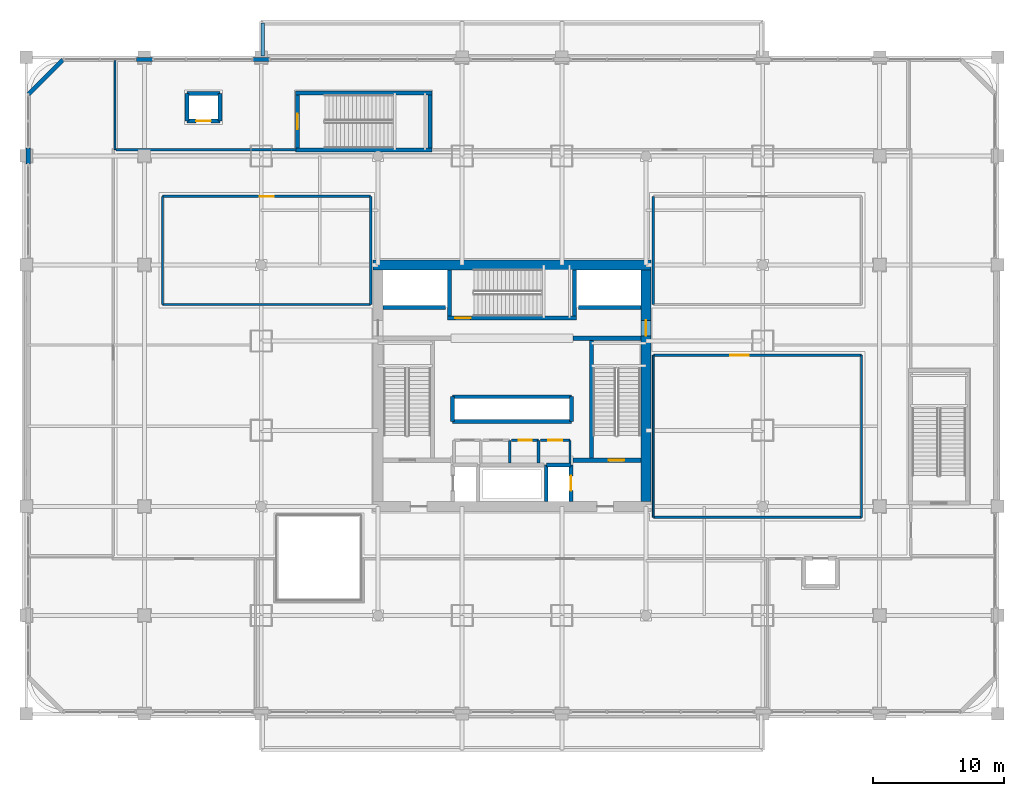
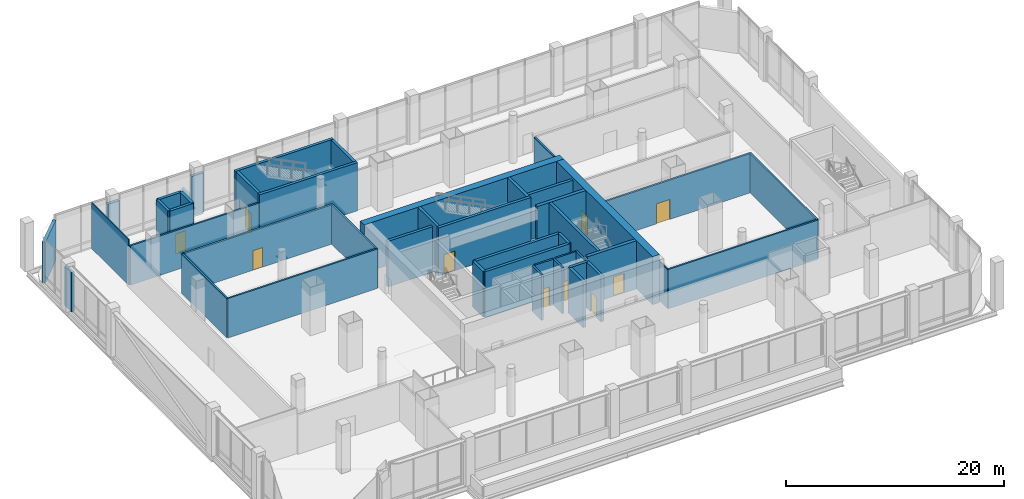
# One storey, part 30 of 43: 46 walls, 10 doors, 10 openings.
"""IFC4 building model written with IfcOpenShell, lengths in metres."""

import ifcopenshell
import ifcopenshell.guid

model = None  # the IFC model being written
_history = None  # IfcOwnerHistory: only IFC2X3 demands one
_inside = {}  # id of a spatial element -> (the spatial element, [elements in it])
_under = {}  # id of a project, library or spatial element -> (it, [spatial elements below it])
_declared = {}  # id of a project -> (the project, [libraries it declares])
_typed = {}  # id of a type object -> (the type object, [elements of that type])
_made_of = {}  # id of a material, layer set ... -> (it, [elements and type objects made of it])


def new_model(schema):
    """Start an empty IFC model of exactly this schema.

    Asked for "IFC4X3", IfcOpenShell would pick the latest addendum, in which some entities
    have other attributes; the version numbers below select the first issue.
    IFC2X3 requires an IfcOwnerHistory on every rooted entity: one is made here for all.
    """
    global model, _history
    if schema == "IFC4X3":
        model = ifcopenshell.file(schema_version=(4, 3, 0, 0))
    else:
        model = ifcopenshell.file(schema=schema)
    _inside.clear()
    _under.clear()
    _declared.clear()
    _typed.clear()
    _made_of.clear()
    _history = None
    if model.schema == "IFC2X3":
        org = make("IfcOrganization", Name="unknown")
        user = make(
            "IfcPersonAndOrganization",
            ThePerson=make("IfcPerson", FamilyName="unknown"),
            TheOrganization=org,
        )
        app = make(
            "IfcApplication",
            ApplicationDeveloper=org,
            Version="unknown",
            ApplicationFullName="unknown",
            ApplicationIdentifier="unknown",
        )
        _history = make(
            "IfcOwnerHistory",
            OwningUser=user,
            OwningApplication=app,
            ChangeAction="ADDED",
            CreationDate=0,
        )
    return model


def make(cls, **values):
    """One entity of the class cls with the attributes given. An attribute that is None is left unset."""
    return model.create_entity(
        cls, **{name: value for name, value in values.items() if value is not None}
    )


def rooted(cls, **values):
    """An entity with a GlobalId (a new one), such as an element, a storey or a relation."""
    return make(cls, GlobalId=ifcopenshell.guid.new(), OwnerHistory=_history, **values)


def si_unit(unit_type, name, prefix=None):
    """IfcSIUnit, for example si_unit("LENGTHUNIT", "METRE", prefix="MILLI")."""
    return make("IfcSIUnit", UnitType=unit_type, Prefix=prefix, Name=name)


def assignment(units):
    """IfcUnitAssignment: the units of a project."""
    return None if units is None else make("IfcUnitAssignment", Units=units)


def point(xyz):
    """IfcCartesianPoint."""
    return None if xyz is None else make("IfcCartesianPoint", Coordinates=xyz)


def direction(xyz):
    """IfcDirection."""
    return None if xyz is None else make("IfcDirection", DirectionRatios=xyz)


def frame(location, z_axis=None, x_axis=None):
    """IfcAxis2Placement3D, a coordinate frame: its origin and axes. An axis left out is left unset."""
    return make(
        "IfcAxis2Placement3D",
        Location=point(location),
        Axis=direction(z_axis),
        RefDirection=direction(x_axis),
    )


def frame_2d(location, x_axis=None):
    """IfcAxis2Placement2D, a coordinate frame in the plane: its origin and x axis."""
    return make(
        "IfcAxis2Placement2D", Location=point(location), RefDirection=direction(x_axis)
    )


def origin():
    """The frame at (0, 0, 0) with its axes left unset."""
    return frame((0.0, 0.0, 0.0))


def place(relative_to, where):
    """IfcLocalPlacement: puts the frame where relative to a parent placement (None: the world)."""
    return make(
        "IfcLocalPlacement", PlacementRelTo=relative_to, RelativePlacement=where
    )


def context(
    kind, dimensions, precision=None, world=None, true_north=None, identifier=None
):
    """IfcGeometricRepresentationContext, for example the 3D "Model" context."""
    return make(
        "IfcGeometricRepresentationContext",
        ContextIdentifier=identifier,
        ContextType=kind,
        CoordinateSpaceDimension=dimensions,
        Precision=precision,
        WorldCoordinateSystem=world,
        TrueNorth=true_north,
    )


def subcontext(parent, identifier, kind, view, scale=None):
    """IfcGeometricRepresentationSubContext, for example "Body" below "Model"."""
    return make(
        "IfcGeometricRepresentationSubContext",
        ContextIdentifier=identifier,
        ContextType=kind,
        ParentContext=parent,
        TargetScale=scale,
        TargetView=view,
    )


def project(units=None, contexts=None):
    """IfcProject with its units and contexts."""
    return rooted(
        "IfcProject",
        Name="project",
        RepresentationContexts=contexts,
        UnitsInContext=assignment(units),
    )


def spatial(cls, under=None, at=None, **own):
    """A site, building, storey or space (cls), placed at a placement, below another one or the project."""
    s = rooted(cls, ObjectPlacement=at, **own)
    if under is not None:
        _under.setdefault(under.id(), (under, []))[1].append(s)
    return s


def profile(cls, at=None, kind="AREA", **sizes):
    """A parametric profile (cls). Its sizes go by their IFC names, for example OverallWidth=200.0."""
    return make(cls, ProfileType=kind, Position=at, **sizes)


def rectangle(**sizes):
    """IfcRectangleProfileDef."""
    return profile("IfcRectangleProfileDef", **sizes)


def extrude(swept, where, along, depth):
    """IfcExtrudedAreaSolid: the profile swept, set in the frame where, extruded along a direction by depth."""
    return make(
        "IfcExtrudedAreaSolid",
        SweptArea=swept,
        Position=where,
        ExtrudedDirection=direction(along),
        Depth=depth,
    )


def shape(context_of_items, identifier, shape_type, items):
    """IfcShapeRepresentation: the items that make up one representation, for example the "Body"."""
    return make(
        "IfcShapeRepresentation",
        ContextOfItems=context_of_items,
        RepresentationIdentifier=identifier,
        RepresentationType=shape_type,
        Items=items,
    )


def material(Name=None, Category=None):
    """IfcMaterial."""
    return make("IfcMaterial", Name=Name, Category=Category)


def layer(
    of_material, thickness, ventilated=None, Name=None, Category=None, Priority=None
):
    """IfcMaterialLayer: one layer of a wall or slab, of a material (None: an air gap)."""
    return make(
        "IfcMaterialLayer",
        Material=of_material,
        LayerThickness=thickness,
        IsVentilated=ventilated,
        Name=Name,
        Category=Category,
        Priority=Priority,
    )


def layer_set(layers, Name=None):
    """IfcMaterialLayerSet."""
    return make("IfcMaterialLayerSet", MaterialLayers=layers, LayerSetName=Name)


def made_of(thing, what):
    """Note that an element or type object is made of a material, layer set ...; save() writes the relation."""
    if what is not None:
        _made_of.setdefault(what.id(), (what, []))[1].append(thing)
    return thing


def type_object(cls, material=None, **own):
    """A type object (cls), such as IfcWallType, which elements share."""
    return made_of(rooted(cls, **own), material)


def element(
    cls,
    number,
    at=None,
    inside=None,
    cuts=None,
    type_object=None,
    material=None,
    context=None,
    identifier="Body",
    shape_type=None,
    held_by="IfcProductDefinitionShape",
    body=None,
    shapes=None,
    **own,
):
    """One element of the class cls, such as IfcWall. Its Tag is "e" and its number.

    at: its placement. inside: the storey or other place that contains it. cuts: it is an
    opening in that element (IfcRelVoidsElement). A single representation is given by context,
    identifier, shape_type and body (its items); several are given by shapes. held_by: the class
    of the entity that holds the representations. save() writes the other relations.
    """
    e = rooted(cls, Tag="e%d" % number, ObjectPlacement=at, **own)
    if body is not None:
        shapes = [shape(context, identifier, shape_type, body)]
    if shapes is not None:
        e.Representation = make(held_by, Representations=shapes)
    if inside is not None:
        _inside.setdefault(inside.id(), (inside, []))[1].append(e)
    if cuts is not None:
        rooted(
            "IfcRelVoidsElement", RelatingBuildingElement=cuts, RelatedOpeningElement=e
        )
    if type_object is not None:
        _typed.setdefault(type_object.id(), (type_object, []))[1].append(e)
    return made_of(e, material)


def fill(opening, filler):
    """IfcRelFillsElement: the door or window that sits in an opening."""
    return rooted(
        "IfcRelFillsElement",
        RelatingOpeningElement=opening,
        RelatedBuildingElement=filler,
    )


def aggregate(whole, parts):
    """IfcRelAggregates: a whole, such as a stair, and the parts it consists of."""
    return rooted("IfcRelAggregates", RelatingObject=whole, RelatedObjects=parts)


def save(model, path):
    """Write the relations noted so far, then the file.

    IfcRelAggregates (storeys below a building ...), IfcRelContainedInSpatialStructure (elements
    in a storey), IfcRelDefinesByType, IfcRelAssociatesMaterial and IfcRelDeclares: one each for
    every whole, place, type object, material and project.
    """
    for whole, parts in _under.values():
        aggregate(whole, parts)
    for where, things in _inside.values():
        rooted(
            "IfcRelContainedInSpatialStructure",
            RelatedElements=things,
            RelatingStructure=where,
        )
    for kind, things in _typed.values():
        rooted("IfcRelDefinesByType", RelatedObjects=things, RelatingType=kind)
    for what, things in _made_of.values():
        rooted("IfcRelAssociatesMaterial", RelatedObjects=things, RelatingMaterial=what)
    for by, libraries in _declared.values():
        rooted("IfcRelDeclares", RelatingContext=by, RelatedDefinitions=libraries)
    model.write(path)


model = new_model("IFC4")

# Units and contexts
model_context = context("Model", 3, precision=1e-05, world=origin(), true_north=direction((0.0, 1.0)))
body_context = subcontext(model_context, "Body", "Model", "MODEL_VIEW")
ifc_project = project(units=[si_unit("LENGTHUNIT", "METRE"), si_unit("AREAUNIT", "SQUARE_METRE"), si_unit("VOLUMEUNIT", "CUBIC_METRE"), si_unit("PLANEANGLEUNIT", "RADIAN"), si_unit("MASSUNIT", "GRAM", prefix="KILO")], contexts=[model_context])

# Site, building, storey
site_placement = place(None, origin())
site = spatial("IfcSite", under=ifc_project, at=site_placement, CompositionType="ELEMENT")
building_placement = place(site_placement, origin())
building = spatial("IfcBuilding", under=site, at=building_placement, Name="Punatoya Terracotta Tower", CompositionType="ELEMENT")
storey_placement = place(building_placement, frame((0.0, 0.0, 6.0)))
storey = spatial("IfcBuildingStorey", under=building, at=storey_placement, Name="L01", CompositionType="ELEMENT", Elevation=6.0)

# Wall
ifc_material_1 = material(Name="Concrete C60/75", Category="concrete")
ifc_layer_1 = layer(ifc_material_1, 0.75)
ifc_layer_set_1 = layer_set([ifc_layer_1], Name="Concrete C60/75")
wall_type_1 = type_object("IfcWallType", Name="WL-COR-750", PredefinedType="SHEAR", material=ifc_layer_set_1)
wall_1_placement = place(storey_placement, frame((-10.574951171875, 9.199951171875, 0.0), z_axis=(0.0, 0.0, 1.0), x_axis=(1.0, 0.0, 0.0)))
element("IfcWall", 1, at=wall_1_placement, inside=storey, type_object=wall_type_1, Name="L01 Core Shear Wall N", PredefinedType="SHEAR", context=body_context, shape_type="SweptSolid", body=[
    extrude(rectangle(XDim=21.14990234375, YDim=0.75, at=frame_2d((10.574951171875, 0.0))), origin(), (0.0, 0.0, 1.0), 5.39990234375),
])

# Wall, opening, door
wall_2_placement = place(storey_placement, frame((10.199951171875, 8.824951171875, 0.0), z_axis=(0.0, 0.0, 1.0), x_axis=(0.0, -1.0, 0.0)))
wall_2 = element("IfcWall", 2, at=wall_2_placement, inside=storey, type_object=wall_type_1, Name="L01 Core Shear Wall E", PredefinedType="SHEAR", context=body_context, shape_type="SweptSolid", body=[
    extrude(rectangle(XDim=17.64990234375, YDim=0.75, at=frame_2d((8.824951171875, 0.0))), origin(), (0.0, 0.0, 1.0), 5.39990234375),
])
opening_1_placement = place(wall_2_placement, frame((3.85498046875, 0.0, 0.0)))
opening_1 = element("IfcOpeningElement", 3, at=opening_1_placement, cuts=wall_2, Name="Opening SD-01", PredefinedType="OPENING", context=body_context, shape_type="SweptSolid", body=[
    extrude(rectangle(XDim=1.179931640625, YDim=2.199951171875, at=frame_2d((0.58984375, 1.10009765625))), frame((0.0, 0.385009765625, 0.0), z_axis=(0.0, -1.0, 0.0), x_axis=(1.0, 0.0, 0.0)), (0.0, 0.0, 1.0), 0.77001953125),
])
ifc_material_2 = material(Name="Galvanised Steel Pressurized Stair Fire Door", Category="steel")
door_type_1 = type_object("IfcDoorType", Name="DR-STR-1180", OperationType="NOTDEFINED", PredefinedType="DOOR", material=ifc_material_2)
door_1_placement = place(opening_1_placement, origin())
door_1 = element("IfcDoor", 4, at=door_1_placement, inside=storey, type_object=door_type_1, Name="L01 Central Lift Lobby East Fire Door", OperationType="SINGLE_SWING_RIGHT", OverallHeight=2.199951171875, OverallWidth=1.179931640625, PredefinedType="DOOR", context=body_context, shape_type="SweptSolid", body=[
    extrude(rectangle(XDim=1.179931640625, YDim=2.199951171875, at=frame_2d((0.58984375, 1.10009765625))), frame((0.0, 0.02490234375, 0.0), z_axis=(0.0, -1.0, 0.0), x_axis=(1.0, 0.0, 0.0)), (0.0, 0.0, 1.0), 0.050048828125),
])
fill(opening_1, door_1)

# Wall
ifc_material_3 = material(Name="Gypsum Fireboard + Steel Stud", Category="steel")
ifc_layer_2 = layer(ifc_material_3, 0.179931640625)
ifc_layer_set_2 = layer_set([ifc_layer_2], Name="Gypsum Fireboard + Steel Stud")
wall_type_2 = type_object("IfcWallType", Name="WL-CORR-180", PredefinedType="PARTITIONING", material=ifc_layer_set_2)
wall_3_placement = place(storey_placement, frame((4.419921875, -5.89990234375, 0.0), z_axis=(0.0, 0.0, 1.0), x_axis=(0.0, 1.0, 0.0)))
element("IfcWall", 5, at=wall_3_placement, inside=storey, type_object=wall_type_2, Name="L01 Core Reprographics Studio Partition 08", PredefinedType="PARTITIONING", context=body_context, shape_type="SweptSolid", body=[
    extrude(rectangle(XDim=1.739990234375, YDim=0.179931640625, at=frame_2d((0.8701171875, 0.0))), origin(), (0.0, 0.0, 1.0), 5.1201171875),
])

# Wall, opening, door
wall_4_placement = place(storey_placement, frame((4.419921875, -4.159912109375, 0.0), z_axis=(0.0, 0.0, 1.0), x_axis=(-1.0, 0.0, 0.0)))
wall_4 = element("IfcWall", 6, at=wall_4_placement, inside=storey, type_object=wall_type_2, Name="L01 Core Reprographics Studio Partition 09", PredefinedType="PARTITIONING", context=body_context, shape_type="SweptSolid", body=[
    extrude(rectangle(XDim=2.239990234375, YDim=0.179931640625, at=frame_2d((1.1201171875, 0.0))), origin(), (0.0, 0.0, 1.0), 5.1201171875),
])
opening_2_placement = place(wall_4_placement, frame((0.594970703125, 0.0, 0.0)))
opening_2 = element("IfcOpeningElement", 7, at=opening_2_placement, cuts=wall_4, Name="Opening OD-01", PredefinedType="OPENING", context=body_context, shape_type="SweptSolid", body=[
    extrude(rectangle(XDim=1.050048828125, YDim=2.199951171875, at=frame_2d((0.52490234375, 1.10009765625))), frame((0.0, 0.099853515625, 0.0), z_axis=(0.0, -1.0, 0.0), x_axis=(1.0, 0.0, 0.0)), (0.0, 0.0, 1.0), 0.199951171875),
])
ifc_material_4 = material(Name="Bengal Teak Solid-Core Leaf")
door_type_2 = type_object("IfcDoorType", Name="DR-OFF-1050", OperationType="NOTDEFINED", PredefinedType="DOOR", material=ifc_material_4)
door_2_placement = place(opening_2_placement, origin())
door_2 = element("IfcDoor", 8, at=door_2_placement, inside=storey, type_object=door_type_2, Name="L01 Reprographics Studio Door", OperationType="SINGLE_SWING_LEFT", OverallHeight=2.199951171875, OverallWidth=1.050048828125, PredefinedType="DOOR", context=body_context, shape_type="SweptSolid", body=[
    extrude(rectangle(XDim=1.050048828125, YDim=2.199951171875, at=frame_2d((0.52490234375, 1.10009765625))), frame((0.0, 0.02490234375, 0.0), z_axis=(0.0, -1.0, 0.0), x_axis=(1.0, 0.0, 0.0)), (0.0, 0.0, 1.0), 0.050048828125),
])
fill(opening_2, door_2)

# Wall
wall_5_placement = place(storey_placement, frame((-16.4599609375, 17.97998046875, 0.0), z_axis=(0.0, 0.0, 1.0), x_axis=(-1.0, 0.0, 0.0)))
element("IfcWall", 9, at=wall_5_placement, inside=storey, type_object=wall_type_2, Name="L01 North Podium Administration Workplace Partition 28", PredefinedType="PARTITIONING", context=body_context, shape_type="SweptSolid", body=[
    extrude(rectangle(XDim=13.699951171875, YDim=0.179931640625, at=frame_2d((6.85009765625, 0.0))), origin(), (0.0, 0.0, 1.0), 4.4140625),
])

# Wall, opening, door
wall_6_placement = place(storey_placement, frame((-26.6201171875, 14.419921875, 0.0), z_axis=(0.0, 0.0, 1.0), x_axis=(1.0, 0.0, 0.0)))
wall_6 = element("IfcWall", 10, at=wall_6_placement, inside=storey, type_object=wall_type_2, Name="L01 Business Delegate Tea Pantry Partition 29", PredefinedType="PARTITIONING", context=body_context, shape_type="SweptSolid", body=[
    extrude(rectangle(XDim=15.860107421875, YDim=0.179931640625, at=frame_2d((7.93017578125, 0.0))), origin(), (0.0, 0.0, 1.0), 4.4140625),
])
opening_3_placement = place(wall_6_placement, frame((7.405029296875, 0.0, 0.0)))
opening_3 = element("IfcOpeningElement", 11, at=opening_3_placement, cuts=wall_6, Name="Opening OD-01", PredefinedType="OPENING", context=body_context, shape_type="SweptSolid", body=[
    extrude(rectangle(XDim=1.050048828125, YDim=2.199951171875, at=frame_2d((0.52490234375, 1.10009765625))), frame((0.0, 0.099853515625, 0.0), z_axis=(0.0, -1.0, 0.0), x_axis=(1.0, 0.0, 0.0)), (0.0, 0.0, 1.0), 0.199951171875),
])
door_3_placement = place(opening_3_placement, origin())
door_3 = element("IfcDoor", 12, at=door_3_placement, inside=storey, type_object=door_type_2, Name="L01 Business Delegate Tea Pantry Door", OperationType="SINGLE_SWING_RIGHT", OverallHeight=2.199951171875, OverallWidth=1.050048828125, PredefinedType="DOOR", context=body_context, shape_type="SweptSolid", body=[
    extrude(rectangle(XDim=1.050048828125, YDim=2.199951171875, at=frame_2d((0.52490234375, 1.10009765625))), frame((0.0, 0.02490234375, 0.0), z_axis=(0.0, -1.0, 0.0), x_axis=(1.0, 0.0, 0.0)), (0.0, 0.0, 1.0), 0.050048828125),
])
fill(opening_3, door_3)

# Walls
wall_7_placement = place(storey_placement, frame((-10.760009765625, 14.419921875, 0.0), z_axis=(0.0, 0.0, 1.0), x_axis=(0.0, -1.0, 0.0)))
element("IfcWall", 13, at=wall_7_placement, inside=storey, type_object=wall_type_2, Name="L01 Business Delegate Tea Pantry Partition 30", PredefinedType="PARTITIONING", context=body_context, shape_type="SweptSolid", body=[
    extrude(rectangle(XDim=8.239990234375, YDim=0.179931640625, at=frame_2d((4.1201171875, 0.0))), origin(), (0.0, 0.0, 1.0), 4.4140625),
])
wall_8_placement = place(storey_placement, frame((-10.760009765625, 6.179931640625, 0.0), z_axis=(0.0, 0.0, 1.0), x_axis=(-1.0, 0.0, 0.0)))
element("IfcWall", 14, at=wall_8_placement, inside=storey, type_object=wall_type_2, Name="L01 Business Delegate Tea Pantry Partition 31", PredefinedType="PARTITIONING", context=body_context, shape_type="SweptSolid", body=[
    extrude(rectangle(XDim=15.860107421875, YDim=0.179931640625, at=frame_2d((7.93017578125, 0.0))), origin(), (0.0, 0.0, 1.0), 4.4140625),
])
for number, where, z_axis, x_axis, name in (
    (15, (-26.6201171875, 6.179931640625, 0.0), (0.0, 0.0, 1.0), (0.0, 1.0, 0.0), "L01 Business Delegate Tea Pantry Partition 32"),
    (16, (10.760009765625, 6.179931640625, 0.0), (0.0, 0.0, 1.0), (0.0, 1.0, 0.0), "L01 Press Briefing and Translation Studio Partition 36"),
):
    element("IfcWall", number, at=place(storey_placement, frame(where, z_axis=z_axis, x_axis=x_axis)), inside=storey, type_object=wall_type_2, Name=name, PredefinedType="PARTITIONING", context=body_context, shape_type="SweptSolid", body=[
        extrude(rectangle(XDim=8.239990234375, YDim=0.179931640625, at=frame_2d((4.1201171875, 0.0))), origin(), (0.0, 0.0, 1.0), 4.4140625),
    ])

# Wall, opening, door
wall_9_placement = place(storey_placement, frame((10.760009765625, 2.320068359375, 0.0), z_axis=(0.0, 0.0, 1.0), x_axis=(1.0, 0.0, 0.0)))
wall_9 = element("IfcWall", 17, at=wall_9_placement, inside=storey, type_object=wall_type_2, Name="L01 East Mezzanine Client Meeting Suite Partition 37", PredefinedType="PARTITIONING", context=body_context, shape_type="SweptSolid", body=[
    extrude(rectangle(XDim=15.860107421875, YDim=0.179931640625, at=frame_2d((7.93017578125, 0.0))), origin(), (0.0, 0.0, 1.0), 4.4140625),
])
opening_4_placement = place(wall_9_placement, frame((5.8798828125, 0.0, 0.0)))
opening_4 = element("IfcOpeningElement", 18, at=opening_4_placement, cuts=wall_9, Name="Opening BD-01", PredefinedType="OPENING", context=body_context, shape_type="SweptSolid", body=[
    extrude(rectangle(XDim=1.39990234375, YDim=2.25, at=frame_2d((0.699951171875, 1.125))), frame((0.0, 0.099853515625, 0.0), z_axis=(0.0, -1.0, 0.0), x_axis=(1.0, 0.0, 0.0)), (0.0, 0.0, 1.0), 0.199951171875),
])
ifc_material_5 = material(Name="Bengal Teak Acoustic Leaf")
door_type_3 = type_object("IfcDoorType", Name="DR-BRD-1400", OperationType="NOTDEFINED", PredefinedType="DOOR", material=ifc_material_5)
door_4_placement = place(opening_4_placement, origin())
door_4 = element("IfcDoor", 19, at=door_4_placement, inside=storey, type_object=door_type_3, Name="L01 East Mezzanine Client Meeting Suite Door", OperationType="SINGLE_SWING_RIGHT", OverallHeight=2.25, OverallWidth=1.39990234375, PredefinedType="DOOR", context=body_context, shape_type="SweptSolid", body=[
    extrude(rectangle(XDim=1.39990234375, YDim=2.25, at=frame_2d((0.699951171875, 1.125))), frame((0.0, 0.02490234375, 0.0), z_axis=(0.0, -1.0, 0.0), x_axis=(1.0, 0.0, 0.0)), (0.0, 0.0, 1.0), 0.050048828125),
])
fill(opening_4, door_4)

# Walls
wall_10_placement = place(storey_placement, frame((26.6201171875, 2.320068359375, 0.0), z_axis=(0.0, 0.0, 1.0), x_axis=(0.0, -1.0, 0.0)))
element("IfcWall", 20, at=wall_10_placement, inside=storey, type_object=wall_type_2, Name="L01 East Mezzanine Client Meeting Suite Partition 38", PredefinedType="PARTITIONING", context=body_context, shape_type="SweptSolid", body=[
    extrude(rectangle(XDim=12.340087890625, YDim=0.179931640625, at=frame_2d((6.169921875, 0.0))), origin(), (0.0, 0.0, 1.0), 4.4140625),
])
wall_11_placement = place(storey_placement, frame((26.6201171875, -10.02001953125, 0.0), z_axis=(0.0, 0.0, 1.0), x_axis=(-1.0, 0.0, 0.0)))
element("IfcWall", 21, at=wall_11_placement, inside=storey, type_object=wall_type_2, Name="L01 East Mezzanine Client Meeting Suite Partition 39", PredefinedType="PARTITIONING", context=body_context, shape_type="SweptSolid", body=[
    extrude(rectangle(XDim=15.860107421875, YDim=0.179931640625, at=frame_2d((7.93017578125, 0.0))), origin(), (0.0, 0.0, 1.0), 4.4140625),
])
ifc_material_6 = material(Name="Precast concrete C40/50", Category="concrete")
ifc_layer_3 = layer(ifc_material_6, 0.320068359375)
ifc_layer_set_3 = layer_set([ifc_layer_3], Name="Precast concrete C40/50")
wall_type_3 = type_object("IfcWallType", Name="WL-EXT-320", PredefinedType="SOLIDWALL", material=ifc_layer_set_3)
wall_12_placement = place(storey_placement, frame((-27.3798828125, 24.840087890625, 0.0), z_axis=(0.0, 0.0, 1.0), x_axis=(-1.0, 0.0, 0.0)))
element("IfcWall", 22, at=wall_12_placement, inside=storey, type_object=wall_type_3, Name="L01 North Column Cladding Pier 1", PredefinedType="SOLIDWALL", context=body_context, shape_type="SweptSolid", body=[
    extrude(rectangle(XDim=1.240234375, YDim=0.320068359375, at=frame_2d((0.6201171875, 0.0))), origin(), (0.0, 0.0, 1.0), 4.4140625),
])
wall_13_placement = place(storey_placement, frame((-18.47998046875, 24.840087890625, 0.0), z_axis=(0.0, 0.0, 1.0), x_axis=(-1.0, 0.0, 0.0)))
element("IfcWall", 23, at=wall_13_placement, inside=storey, type_object=wall_type_3, Name="L01 North Column Cladding Pier 2", PredefinedType="SOLIDWALL", context=body_context, shape_type="SweptSolid", body=[
    extrude(rectangle(XDim=1.239990234375, YDim=0.320068359375, at=frame_2d((0.6201171875, 0.0))), origin(), (0.0, 0.0, 1.0), 4.4140625),
])
wall_14_placement = place(storey_placement, frame((-36.840087890625, 16.8798828125, 0.0), z_axis=(0.0, 0.0, 1.0), x_axis=(0.0, 1.0, 0.0)))
element("IfcWall", 24, at=wall_14_placement, inside=storey, type_object=wall_type_3, Name="L01 West Pier 1-G", PredefinedType="SOLIDWALL", context=body_context, shape_type="SweptSolid", body=[
    extrude(rectangle(XDim=1.240234375, YDim=0.320068359375, at=frame_2d((0.6201171875, 0.0))), origin(), (0.0, 0.0, 1.0), 4.4140625),
])
wall_15_placement = place(storey_placement, frame((-36.840087890625, 22.199951171875, 0.0), z_axis=(0.0, 0.0, 1.0), x_axis=(0.707106781187, 0.707106781187, 0.0)))
element("IfcWall", 25, at=wall_15_placement, inside=storey, type_object=wall_type_3, Name="L01 Terracotta Corner Pier 2", PredefinedType="SOLIDWALL", context=body_context, shape_type="SweptSolid", body=[
    extrude(rectangle(XDim=3.733642578125, YDim=0.320068359375, at=frame_2d((1.86669921875, 0.0))), origin(), (0.0, 0.0, 1.0), 4.56396484375),
])
ifc_material_7 = material(Name="Concrete C40/50", Category="concrete")
ifc_layer_4 = layer(ifc_material_7, 0.199951171875)
ifc_layer_set_4 = layer_set([ifc_layer_4], Name="Concrete C40/50")
wall_type_4 = type_object("IfcWallType", Name="WL-INT-200", PredefinedType="SOLIDWALL", material=ifc_layer_set_4)
for number, where, z_axis, x_axis, name in (
    (26, (-0.179931640625, -5.89990234375, 0.0), (0.0, 0.0, 1.0), (0.0, 1.0, 0.0), "L01 Female Washroom Partition 04"),
    (27, (2.02001953125, -5.89990234375, 0.0), (0.0, 0.0, 1.0), (0.0, 1.0, 0.0), "L01 Accessible Universal Washroom Partition 06"),
):
    element("IfcWall", number, at=place(storey_placement, frame(where, z_axis=z_axis, x_axis=x_axis)), inside=storey, type_object=wall_type_4, Name=name, PredefinedType="SOLIDWALL", context=body_context, shape_type="SweptSolid", body=[
        extrude(rectangle(XDim=1.739990234375, YDim=0.199951171875, at=frame_2d((0.8701171875, 0.0))), origin(), (0.0, 0.0, 1.0), 5.1201171875),
    ])

# Wall, opening, door
wall_16_placement = place(storey_placement, frame((2.02001953125, -4.159912109375, 0.0), z_axis=(0.0, 0.0, 1.0), x_axis=(-1.0, 0.0, 0.0)))
wall_16 = element("IfcWall", 28, at=wall_16_placement, inside=storey, type_object=wall_type_4, Name="L01 Accessible Universal Washroom Partition 07", PredefinedType="SOLIDWALL", context=body_context, shape_type="SweptSolid", body=[
    extrude(rectangle(XDim=2.0400390625, YDim=0.199951171875, at=frame_2d((1.02001953125, 0.0))), origin(), (0.0, 0.0, 1.0), 5.1201171875),
])
opening_5_placement = place(wall_16_placement, frame((0.52001953125, 0.0, 0.0)))
opening_5 = element("IfcOpeningElement", 29, at=opening_5_placement, cuts=wall_16, Name="Opening AWD-1", PredefinedType="OPENING", context=body_context, shape_type="SweptSolid", body=[
    extrude(rectangle(XDim=1.0, YDim=2.14990234375, at=frame_2d((0.5, 1.074951171875))), frame((0.0, 0.10986328125, 0.0), z_axis=(0.0, -1.0, 0.0), x_axis=(1.0, 0.0, 0.0)), (0.0, 0.0, 1.0), 0.219970703125),
])
ifc_material_8 = material(Name="Bengal Teak Accessible WC Leaf")
door_type_4 = type_object("IfcDoorType", Name="DR-ACC-1000", OperationType="NOTDEFINED", PredefinedType="DOOR", material=ifc_material_8)
door_5_placement = place(opening_5_placement, origin())
door_5 = element("IfcDoor", 30, at=door_5_placement, inside=storey, type_object=door_type_4, Name="L01 Accessible Universal Washroom Door", OperationType="SINGLE_SWING_RIGHT", OverallHeight=2.14990234375, OverallWidth=1.0, PredefinedType="DOOR", context=body_context, shape_type="SweptSolid", body=[
    extrude(rectangle(XDim=1.0, YDim=2.14990234375, at=frame_2d((0.5, 1.074951171875))), frame((0.0, 0.02490234375, 0.0), z_axis=(0.0, -1.0, 0.0), x_axis=(1.0, 0.0, 0.0)), (0.0, 0.0, 1.0), 0.050048828125),
])
fill(opening_5, door_5)

# Walls
ifc_material_9 = material(Name="Gypsum Partition + Steel Stud", Category="steel")
ifc_layer_5 = layer(ifc_material_9, 0.1201171875)
ifc_layer_set_5 = layer_set([ifc_layer_5], Name="Gypsum Partition + Steel Stud")
wall_type_5 = type_object("IfcWallType", Name="WL-OFF-120", PredefinedType="PARTITIONING", material=ifc_layer_set_5)
wall_17_placement = place(storey_placement, frame((-30.239990234375, 24.780029296875, 0.0), z_axis=(0.0, 0.0, 1.0), x_axis=(0.0, -1.0, 0.0)))
element("IfcWall", 31, at=wall_17_placement, inside=storey, type_object=wall_type_5, Name="L01 West Corporate Training Centre Partition 22", PredefinedType="PARTITIONING", context=body_context, shape_type="SweptSolid", body=[
    extrude(rectangle(XDim=6.800048828125, YDim=0.1201171875, at=frame_2d((3.39990234375, 0.0))), origin(), (0.0, 0.0, 1.0), 5.1201171875),
])
wall_18_placement = place(storey_placement, frame((10.760009765625, -10.02001953125, 0.0), z_axis=(0.0, 0.0, 1.0), x_axis=(0.0, 1.0, 0.0)))
element("IfcWall", 32, at=wall_18_placement, inside=storey, type_object=wall_type_5, Name="L01 East Mezzanine Client Meeting Suite Partition 40", PredefinedType="PARTITIONING", context=body_context, shape_type="SweptSolid", body=[
    extrude(rectangle(XDim=12.340087890625, YDim=0.1201171875, at=frame_2d((6.169921875, 0.0))), origin(), (0.0, 0.0, 1.0), 4.4140625),
])
ifc_layer_6 = layer(ifc_material_6, 0.260009765625)
ifc_layer_set_6 = layer_set([ifc_layer_6], Name="Precast concrete C40/50")
wall_type_6 = type_object("IfcWallType", Name="WL-PAR-260", PredefinedType="PARAPET", material=ifc_layer_set_6)
wall_19_placement = place(storey_placement, frame((-19.0, 27.6201171875, 0.0), z_axis=(0.0, 0.0, 1.0), x_axis=(0.0, -1.0, 0.0)))
element("IfcWall", 33, at=wall_19_placement, inside=storey, type_object=wall_type_6, Name="L01 Roof Parapet Wall PAR-L01-CANN-04", PredefinedType="PARAPET", context=body_context, shape_type="SweptSolid", body=[
    extrude(rectangle(XDim=2.52001953125, YDim=0.260009765625, at=frame_2d((1.260009765625, 0.0))), origin(), (0.0, 0.0, 1.0), 1.14990234375),
])
ifc_layer_7 = layer(ifc_material_7, 0.300048828125)
ifc_layer_set_7 = layer_set([ifc_layer_7], Name="Concrete C40/50")
wall_type_7 = type_object("IfcWallType", Name="WL-SHF-300", PredefinedType="SOLIDWALL", material=ifc_layer_set_7)
wall_20_placement = place(storey_placement, frame((6.050048828125, 3.449951171875, 0.0), z_axis=(0.0, 0.0, 1.0), x_axis=(0.0, -1.0, 0.0)))
element("IfcWall", 34, at=wall_20_placement, inside=storey, type_object=wall_type_7, Name="L01 Structural Stair Shaft Wall SW-ST2-W", PredefinedType="SOLIDWALL", context=body_context, shape_type="SweptSolid", body=[
    extrude(rectangle(XDim=8.949951171875, YDim=0.300048828125, at=frame_2d((4.47509765625, 0.0))), origin(), (0.0, 0.0, 1.0), 5.39990234375),
])
for number, where, z_axis, x_axis, name in (
    (35, (-4.75, 5.300048828125, 0.0), (0.0, 0.0, 1.0), (0.0, 1.0, 0.0), "L01 Structural Stair Shaft Wall SW-ST3-W"),
    (36, (4.75, 8.824951171875, 0.0), (0.0, 0.0, 1.0), (0.0, -1.0, 0.0), "L01 Structural Stair Shaft Wall SW-ST3-E"),
):
    element("IfcWall", number, at=place(storey_placement, frame(where, z_axis=z_axis, x_axis=x_axis)), inside=storey, type_object=wall_type_7, Name=name, PredefinedType="SOLIDWALL", context=body_context, shape_type="SweptSolid", body=[
        extrude(rectangle(XDim=3.52490234375, YDim=0.300048828125, at=frame_2d((1.762451171875, 0.0))), origin(), (0.0, 0.0, 1.0), 5.39990234375),
    ])

# Wall, opening, door
wall_21_placement = place(storey_placement, frame((-4.89990234375, 5.14990234375, 0.0), z_axis=(0.0, 0.0, 1.0), x_axis=(1.0, 0.0, 0.0)))
wall_21 = element("IfcWall", 37, at=wall_21_placement, inside=storey, type_object=wall_type_7, Name="L01 Structural Stair Shaft Wall SW-ST3-S", PredefinedType="SOLIDWALL", context=body_context, shape_type="SweptSolid", body=[
    extrude(rectangle(XDim=9.7998046875, YDim=0.300048828125, at=frame_2d((4.89990234375, 0.0))), origin(), (0.0, 0.0, 1.0), 5.39990234375),
])
opening_6_placement = place(wall_21_placement, frame((0.56005859375, 0.0, 0.0)))
opening_6 = element("IfcOpeningElement", 38, at=opening_6_placement, cuts=wall_21, Name="Opening SD-01", PredefinedType="OPENING", context=body_context, shape_type="SweptSolid", body=[
    extrude(rectangle(XDim=1.179931640625, YDim=2.199951171875, at=frame_2d((0.58984375, 1.10009765625))), frame((0.0, 0.159912109375, 0.0), z_axis=(0.0, -1.0, 0.0), x_axis=(1.0, 0.0, 0.0)), (0.0, 0.0, 1.0), 0.320068359375),
])
door_6_placement = place(opening_6_placement, origin())
door_6 = element("IfcDoor", 39, at=door_6_placement, inside=storey, type_object=door_type_1, Name="L01 Stair ST-3 Core Lobby Fire Door", OperationType="SINGLE_SWING_LEFT", OverallHeight=2.199951171875, OverallWidth=1.179931640625, PredefinedType="DOOR", context=body_context, shape_type="SweptSolid", body=[
    extrude(rectangle(XDim=1.179931640625, YDim=2.199951171875, at=frame_2d((0.58984375, 1.10009765625))), frame((0.0, 0.02490234375, 0.0), z_axis=(0.0, -1.0, 0.0), x_axis=(1.0, 0.0, 0.0)), (0.0, 0.0, 1.0), 0.050048828125),
])
fill(opening_6, door_6)

# Walls
for number, where, z_axis, x_axis, name in (
    (40, (-16.5, 17.949951171875, 0.0), (0.0, 0.0, 1.0), (1.0, 0.0, 0.0), "L01 ST-P1 South Structural Shaft Wall"),
    (41, (-6.10009765625, 22.300048828125, 0.0), (0.0, 0.0, 1.0), (-1.0, 0.0, 0.0), "L01 ST-P1 North Structural Shaft Wall"),
):
    element("IfcWall", number, at=place(storey_placement, frame(where, z_axis=z_axis, x_axis=x_axis)), inside=storey, type_object=wall_type_7, Name=name, PredefinedType="SOLIDWALL", context=body_context, shape_type="SweptSolid", body=[
        extrude(rectangle(XDim=10.39990234375, YDim=0.300048828125, at=frame_2d((5.199951171875, 0.0))), origin(), (0.0, 0.0, 1.0), 5.39990234375),
    ])

# Wall, opening, door
wall_22_placement = place(storey_placement, frame((-16.35009765625, 18.10009765625, 0.0), z_axis=(0.0, 0.0, 1.0), x_axis=(0.0, 1.0, 0.0)))
wall_22 = element("IfcWall", 42, at=wall_22_placement, inside=storey, type_object=wall_type_7, Name="L01 ST-P1 West Structural Shaft Wall", PredefinedType="SOLIDWALL", context=body_context, shape_type="SweptSolid", body=[
    extrude(rectangle(XDim=4.0498046875, YDim=0.300048828125, at=frame_2d((2.02490234375, 0.0))), origin(), (0.0, 0.0, 1.0), 5.39990234375),
])
opening_7_placement = place(wall_22_placement, frame((1.43505859375, 0.0, 0.0)))
opening_7 = element("IfcOpeningElement", 43, at=opening_7_placement, cuts=wall_22, Name="Opening SD-01", PredefinedType="OPENING", context=body_context, shape_type="SweptSolid", body=[
    extrude(rectangle(XDim=1.179931640625, YDim=2.199951171875, at=frame_2d((0.58984375, 1.10009765625))), frame((0.0, 0.159912109375, 0.0), z_axis=(0.0, -1.0, 0.0), x_axis=(1.0, 0.0, 0.0)), (0.0, 0.0, 1.0), 0.320068359375),
])
door_7_placement = place(opening_7_placement, origin())
door_7 = element("IfcDoor", 44, at=door_7_placement, inside=storey, type_object=door_type_1, Name="L01 Podium Stair ST-P1 Fire Door", OperationType="SINGLE_SWING_LEFT", OverallHeight=2.199951171875, OverallWidth=1.179931640625, PredefinedType="DOOR", context=body_context, shape_type="SweptSolid", body=[
    extrude(rectangle(XDim=1.179931640625, YDim=2.199951171875, at=frame_2d((0.58984375, 1.10009765625))), frame((0.0, 0.02490234375, 0.0), z_axis=(0.0, -1.0, 0.0), x_axis=(1.0, 0.0, 0.0)), (0.0, 0.0, 1.0), 0.050048828125),
])
fill(opening_7, door_7)

# Wall
wall_23_placement = place(storey_placement, frame((-6.25, 22.14990234375, 0.0), z_axis=(0.0, 0.0, 1.0), x_axis=(0.0, -1.0, 0.0)))
element("IfcWall", 45, at=wall_23_placement, inside=storey, type_object=wall_type_7, Name="L01 ST-P1 East Structural Shaft Wall", PredefinedType="SOLIDWALL", context=body_context, shape_type="SweptSolid", body=[
    extrude(rectangle(XDim=4.0498046875, YDim=0.300048828125, at=frame_2d((2.02490234375, 0.0))), origin(), (0.0, 0.0, 1.0), 5.39990234375),
])

# Wall, opening, door
wall_24_placement = place(storey_placement, frame((4.489990234375, -8.820068359375, 0.0), z_axis=(0.0, 0.0, 1.0), x_axis=(0.0, 1.0, 0.0)))
wall_24 = element("IfcWall", 46, at=wall_24_placement, inside=storey, type_object=wall_type_7, Name="L01 FFL-2 Front Hoistway Wall", PredefinedType="SOLIDWALL", context=body_context, shape_type="SweptSolid", body=[
    extrude(rectangle(XDim=2.77001953125, YDim=0.300048828125, at=frame_2d((1.385009765625, 0.0))), origin(), (0.0, 0.0, 1.0), 5.1201171875),
])
opening_8_placement = place(wall_24_placement, frame((0.824951171875, 0.0, 0.0)))
opening_8 = element("IfcOpeningElement", 47, at=opening_8_placement, cuts=wall_24, Name="Opening LD-02", PredefinedType="OPENING", context=body_context, shape_type="SweptSolid", body=[
    extrude(rectangle(XDim=1.1201171875, YDim=2.25, at=frame_2d((0.56005859375, 1.125))), frame((0.0, 0.159912109375, 0.0), z_axis=(0.0, -1.0, 0.0), x_axis=(1.0, 0.0, 0.0)), (0.0, 0.0, 1.0), 0.320068359375),
])
ifc_material_10 = material(Name="Stainless Steel Lift Landing Door", Category="steel")
door_type_5 = type_object("IfcDoorType", Name="DR-LND-1120", OperationType="NOTDEFINED", PredefinedType="DOOR", material=ifc_material_10)
door_8_placement = place(opening_8_placement, origin())
door_8 = element("IfcDoor", 48, at=door_8_placement, inside=storey, type_object=door_type_5, Name="L01 Firefighting Lift FFL-2 Sliding Landing Door", OperationType="SLIDING_TO_RIGHT", OverallHeight=2.25, OverallWidth=1.1201171875, PredefinedType="DOOR", context=body_context, shape_type="SweptSolid", body=[
    extrude(rectangle(XDim=1.1201171875, YDim=2.25, at=frame_2d((0.56005859375, 1.125))), frame((0.0, 0.02490234375, 0.0), z_axis=(0.0, -1.0, 0.0), x_axis=(1.0, 0.0, 0.0)), (0.0, 0.0, 1.0), 0.050048828125),
])
fill(opening_8, door_8)

# Walls
wall_25_placement = place(storey_placement, frame((2.610107421875, -8.820068359375, 0.0), z_axis=(0.0, 0.0, 1.0), x_axis=(0.0, 1.0, 0.0)))
element("IfcWall", 49, at=wall_25_placement, inside=storey, type_object=wall_type_7, Name="L01 FFL-2 Rear Hoistway Wall", PredefinedType="SOLIDWALL", context=body_context, shape_type="SweptSolid", body=[
    extrude(rectangle(XDim=2.77001953125, YDim=0.300048828125, at=frame_2d((1.385009765625, 0.0))), origin(), (0.0, 0.0, 1.0), 5.1201171875),
])
wall_26_placement = place(storey_placement, frame((2.610107421875, -6.050048828125, 0.0), z_axis=(0.0, 0.0, 1.0), x_axis=(1.0, 0.0, 0.0)))
element("IfcWall", 50, at=wall_26_placement, inside=storey, type_object=wall_type_7, Name="L01 FFL-2 North Hoistway Wall", PredefinedType="SOLIDWALL", context=body_context, shape_type="SweptSolid", body=[
    extrude(rectangle(XDim=1.8798828125, YDim=0.300048828125, at=frame_2d((0.93994140625, 0.0))), origin(), (0.0, 0.0, 1.0), 5.1201171875),
])
for number, where, z_axis, x_axis, name in (
    (51, (-4.52001953125, -0.840087890625, 0.0), (0.0, 0.0, 1.0), (1.0, 0.0, 0.0), "L01 South Lift Bank Front Shaft Wall"),
    (52, (-4.52001953125, -2.719970703125, 0.0), (0.0, 0.0, 1.0), (1.0, 0.0, 0.0), "L01 South Lift Bank Rear Shaft Wall"),
):
    element("IfcWall", number, at=place(storey_placement, frame(where, z_axis=z_axis, x_axis=x_axis)), inside=storey, type_object=wall_type_7, Name=name, PredefinedType="SOLIDWALL", context=body_context, shape_type="SweptSolid", body=[
        extrude(rectangle(XDim=9.0400390625, YDim=0.300048828125, at=frame_2d((4.52001953125, 0.0))), origin(), (0.0, 0.0, 1.0), 5.1201171875),
    ])
for number, where, z_axis, x_axis, name in (
    (53, (-4.52001953125, -2.719970703125, 0.0), (0.0, 0.0, 1.0), (0.0, 1.0, 0.0), "L01 South Lift Bank West End Wall"),
    (54, (4.52001953125, -2.719970703125, 0.0), (0.0, 0.0, 1.0), (0.0, 1.0, 0.0), "L01 South Lift Bank East End Wall"),
):
    element("IfcWall", number, at=place(storey_placement, frame(where, z_axis=z_axis, x_axis=x_axis)), inside=storey, type_object=wall_type_7, Name=name, PredefinedType="SOLIDWALL", context=body_context, shape_type="SweptSolid", body=[
        extrude(rectangle(XDim=1.8798828125, YDim=0.300048828125, at=frame_2d((0.93994140625, 0.0))), origin(), (0.0, 0.0, 1.0), 5.1201171875),
    ])
for number, where, z_axis, x_axis, name in (
    (55, (-9.820068359375, 5.949951171875, 0.0), (0.0, 0.0, 1.0), (1.0, 0.0, 0.0), "L01 Shuttle SL-1 South Hoistway Wall"),
    (56, (5.06005859375, 5.949951171875, 0.0), (0.0, 0.0, 1.0), (1.0, 0.0, 0.0), "L01 Shuttle SL-2 South Hoistway Wall"),
):
    element("IfcWall", number, at=place(storey_placement, frame(where, z_axis=z_axis, x_axis=x_axis)), inside=storey, type_object=wall_type_7, Name=name, PredefinedType="SOLIDWALL", context=body_context, shape_type="SweptSolid", body=[
        extrude(rectangle(XDim=4.760009765625, YDim=0.300048828125, at=frame_2d((2.3798828125, 0.0))), origin(), (0.0, 0.0, 1.0), 5.1201171875),
    ])

# Wall, opening, door
wall_27_placement = place(storey_placement, frame((-24.75, 20.14990234375, 0.0), z_axis=(0.0, 0.0, 1.0), x_axis=(1.0, 0.0, 0.0)))
wall_27 = element("IfcWall", 57, at=wall_27_placement, inside=storey, type_object=wall_type_7, Name="L01 Podium Lift PL-P1 Front Wall", PredefinedType="SOLIDWALL", context=body_context, shape_type="SweptSolid", body=[
    extrude(rectangle(XDim=2.5, YDim=0.300048828125, at=frame_2d((1.25, 0.0))), origin(), (0.0, 0.0, 1.0), 5.1201171875),
])
opening_9_placement = place(wall_27_placement, frame((0.68994140625, 0.0, 0.0)))
opening_9 = element("IfcOpeningElement", 58, at=opening_9_placement, cuts=wall_27, Name="Opening LD-02", PredefinedType="OPENING", context=body_context, shape_type="SweptSolid", body=[
    extrude(rectangle(XDim=1.1201171875, YDim=2.25, at=frame_2d((0.56005859375, 1.125))), frame((0.0, 0.159912109375, 0.0), z_axis=(0.0, -1.0, 0.0), x_axis=(1.0, 0.0, 0.0)), (0.0, 0.0, 1.0), 0.320068359375),
])
door_9_placement = place(opening_9_placement, origin())
door_9 = element("IfcDoor", 59, at=door_9_placement, inside=storey, type_object=door_type_5, Name="L01 Podium Lift PL-P1 Sliding Landing Door", OperationType="DOUBLE_DOOR_SLIDING", OverallHeight=2.25, OverallWidth=1.1201171875, PredefinedType="DOOR", context=body_context, shape_type="SweptSolid", body=[
    extrude(rectangle(XDim=1.1201171875, YDim=2.25, at=frame_2d((0.56005859375, 1.125))), frame((0.0, 0.02490234375, 0.0), z_axis=(0.0, -1.0, 0.0), x_axis=(1.0, 0.0, 0.0)), (0.0, 0.0, 1.0), 0.050048828125),
])
fill(opening_9, door_9)

# Walls
wall_28_placement = place(storey_placement, frame((-24.75, 22.25, 0.0), z_axis=(0.0, 0.0, 1.0), x_axis=(1.0, 0.0, 0.0)))
element("IfcWall", 60, at=wall_28_placement, inside=storey, type_object=wall_type_7, Name="L01 Podium Lift PL-P1 Rear Wall", PredefinedType="SOLIDWALL", context=body_context, shape_type="SweptSolid", body=[
    extrude(rectangle(XDim=2.5, YDim=0.300048828125, at=frame_2d((1.25, 0.0))), origin(), (0.0, 0.0, 1.0), 5.1201171875),
])
for number, where, z_axis, x_axis, name in (
    (61, (-24.75, 20.14990234375, 0.0), (0.0, 0.0, 1.0), (0.0, 1.0, 0.0), "L01 Podium Lift PL-P1 West Wall"),
    (62, (-22.25, 20.14990234375, 0.0), (0.0, 0.0, 1.0), (0.0, 1.0, 0.0), "L01 Podium Lift PL-P1 East Wall"),
):
    element("IfcWall", number, at=place(storey_placement, frame(where, z_axis=z_axis, x_axis=x_axis)), inside=storey, type_object=wall_type_7, Name=name, PredefinedType="SOLIDWALL", context=body_context, shape_type="SweptSolid", body=[
        extrude(rectangle(XDim=2.10009765625, YDim=0.300048828125, at=frame_2d((1.050048828125, 0.0))), origin(), (0.0, 0.0, 1.0), 5.1201171875),
    ])

# Wall, opening, door
ifc_material_11 = material(Name="Concrete C50/60", Category="concrete")
ifc_layer_8 = layer(ifc_material_11, 0.35009765625)
ifc_layer_set_8 = layer_set([ifc_layer_8], Name="Concrete C50/60")
wall_type_8 = type_object("IfcWallType", Name="WL-SHF-350", PredefinedType="SOLIDWALL", material=ifc_layer_set_8)
wall_29_placement = place(storey_placement, frame((4.64990234375, -5.679931640625, 0.0), z_axis=(0.0, 0.0, 1.0), x_axis=(1.0, 0.0, 0.0)))
wall_29 = element("IfcWall", 63, at=wall_29_placement, inside=storey, type_object=wall_type_8, Name="L01 Core Web Wall CSW-R", PredefinedType="SOLIDWALL", context=body_context, shape_type="SweptSolid", body=[
    extrude(rectangle(XDim=5.175048828125, YDim=0.35009765625, at=frame_2d((2.58740234375, 0.0))), origin(), (0.0, 0.0, 1.0), 5.39990234375),
])
opening_10_placement = place(wall_29_placement, frame((2.7099609375, 0.0, 0.0)))
opening_10 = element("IfcOpeningElement", 64, at=opening_10_placement, cuts=wall_29, Name="Opening SD-01", PredefinedType="OPENING", context=body_context, shape_type="SweptSolid", body=[
    extrude(rectangle(XDim=1.179931640625, YDim=2.199951171875, at=frame_2d((0.58984375, 1.10009765625))), frame((0.0, 0.18505859375, 0.0), z_axis=(0.0, -1.0, 0.0), x_axis=(1.0, 0.0, 0.0)), (0.0, 0.0, 1.0), 0.3701171875),
])
door_10_placement = place(opening_10_placement, origin())
door_10 = element("IfcDoor", 65, at=door_10_placement, inside=storey, type_object=door_type_1, Name="L01 Stair ST-2 Smokeproof Lobby Fire Door", OperationType="SINGLE_SWING_RIGHT", OverallHeight=2.199951171875, OverallWidth=1.179931640625, PredefinedType="DOOR", context=body_context, shape_type="SweptSolid", body=[
    extrude(rectangle(XDim=1.179931640625, YDim=2.199951171875, at=frame_2d((0.58984375, 1.10009765625))), frame((0.0, 0.02490234375, 0.0), z_axis=(0.0, -1.0, 0.0), x_axis=(1.0, 0.0, 0.0)), (0.0, 0.0, 1.0), 0.050048828125),
])
fill(opening_10, door_10)

# Wall
wall_30_placement = place(storey_placement, frame((4.64990234375, 3.60009765625, 0.0), z_axis=(0.0, 0.0, 1.0), x_axis=(1.0, 0.0, 0.0)))
element("IfcWall", 66, at=wall_30_placement, inside=storey, type_object=wall_type_8, Name="L01 Core Web Wall CNW-R", PredefinedType="SOLIDWALL", context=body_context, shape_type="SweptSolid", body=[
    extrude(rectangle(XDim=5.175048828125, YDim=0.35009765625, at=frame_2d((2.58740234375, 0.0))), origin(), (0.0, 0.0, 1.0), 5.39990234375),
])

save(model, "model.ifc")
